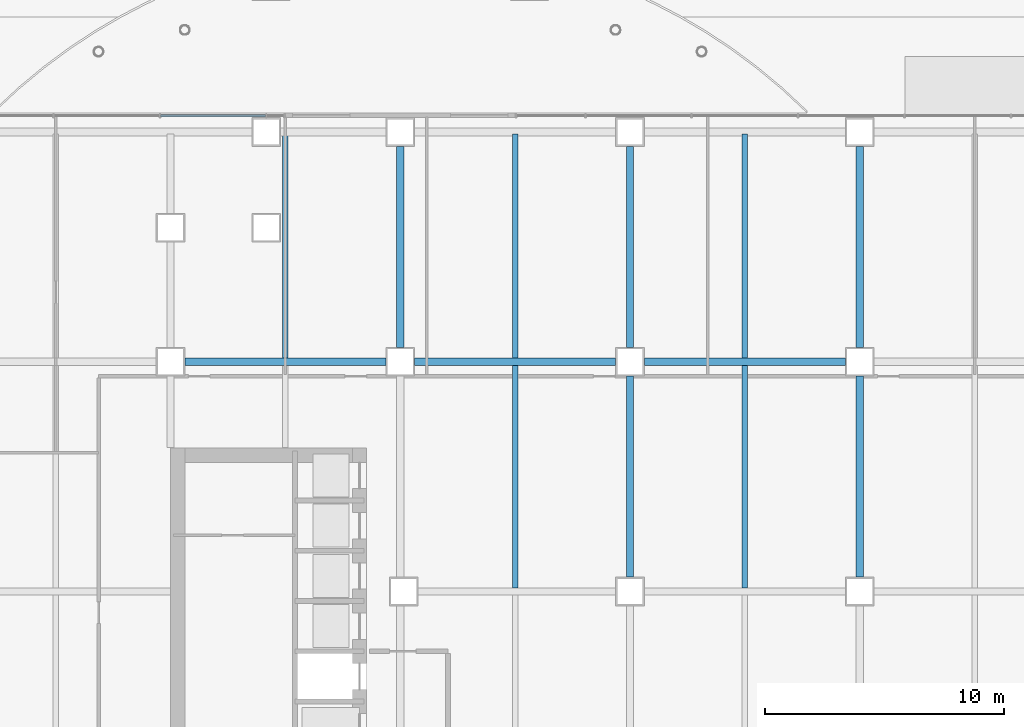
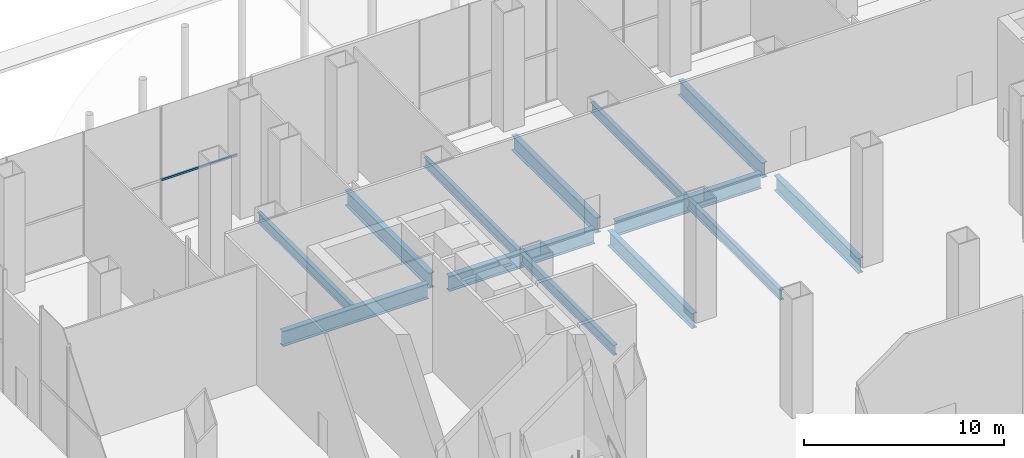
# One storey, part 15 of 36: 13 beams, 1 member, 1 element without a shape of its own.
"""IFC4 building model written with IfcOpenShell, lengths in metres."""

from ifc_helpers import new_model, si_unit, direction, frame, origin, origin_2d, place, context, subcontext, project, spatial, rectangle, i_section, extrude, material, material_profile, profile_set, type_object, element, aggregate, save


model = new_model("IFC4")

# Units and contexts
model_context = context("Model", 3, precision=1e-05, world=origin(), true_north=direction((0.0, 1.0)))
body_context = subcontext(model_context, "Body", "Model", "MODEL_VIEW")
ifc_project = project(units=[si_unit("LENGTHUNIT", "METRE"), si_unit("AREAUNIT", "SQUARE_METRE"), si_unit("VOLUMEUNIT", "CUBIC_METRE"), si_unit("PLANEANGLEUNIT", "RADIAN"), si_unit("MASSUNIT", "GRAM", prefix="KILO")], contexts=[model_context])

# Site, building, storey
site_placement = place(None, origin())
site = spatial("IfcSite", under=ifc_project, at=site_placement, CompositionType="ELEMENT")
building_placement = place(site_placement, origin())
building = spatial("IfcBuilding", under=site, at=building_placement, Name="Cobrizo Arcos Hotel Tower", CompositionType="ELEMENT")
storey_placement = place(building_placement, origin())
storey = spatial("IfcBuildingStorey", under=building, at=storey_placement, Name="L00", CompositionType="ELEMENT", Elevation=0.0)

# Curtain wall, member
ifc_material_1 = material(Name="Aluminium 6063-T6 anodised bronze", Category="aluminium")
curtain_wall_type = type_object("IfcCurtainWallType", Name="CW-A guest facade", PredefinedType="NOTDEFINED", material=ifc_material_1)
curtain_wall_placement = place(storey_placement, origin())
curtain_wall = element("IfcCurtainWall", 1, at=curtain_wall_placement, inside=storey, type_object=curtain_wall_type, Name="CW-A L00 N face", PredefinedType="NOTDEFINED")
ifc_material_profile_1 = material_profile(ifc_material_1, rectangle(XDim=0.10009765625, YDim=0.1201171875, at=origin_2d()), Name="CW-A transom 120x100")
ifc_profile_set_1 = profile_set([ifc_material_profile_1], Name="Aluminium 6063-T6 anodised bronze")
member_type = type_object("IfcMemberType", Name="CW-A transom 120x100", PredefinedType="USERDEFINED", material=ifc_profile_set_1)
member_placement = place(storey_placement, frame((-20.030029296875, 24.675048828125, 3.0), z_axis=(-1.0, 0.0, 0.0), x_axis=(0.0, -1.0, 0.0)))
member = element("IfcMember", 2, at=member_placement, type_object=member_type, Name="CW-A transom 23", ObjectType="TRANSOM", PredefinedType="USERDEFINED", context=body_context, shape_type="SweptSolid", body=[
    extrude(rectangle(XDim=0.10009765625, YDim=0.1201171875, at=origin_2d()), origin(), (0.0, 0.0, 1.0), 4.384521484375),
])
aggregate(curtain_wall, [member])

# Beams
ifc_material_2 = material(Name="Steel ASTM A992 Grade 50", Category="steel")
ifc_material_profile_2 = material_profile(ifc_material_2, i_section(OverallWidth=0.23046875, OverallDepth=0.6171875, WebThickness=0.01318359375, FlangeThickness=0.022216796875, at=origin_2d()), Name="W24X94")
ifc_profile_set_2 = profile_set([ifc_material_profile_2], Name="Steel ASTM A992 Grade 50")
beam_type_1 = type_object("IfcBeamType", Name="W24X94 podium joist", PredefinedType="JOIST", material=ifc_profile_set_2)
beam_1_placement = place(storey_placement, frame((-19.199951171875, 14.5537109375, -0.608642578125), z_axis=(0.0, 1.0, 0.0), x_axis=(-1.0, 0.0, 0.0)))
element("IfcBeam", 3, at=beam_1_placement, inside=storey, type_object=beam_type_1, Name="Podium joist PJ1, L00, no. 009", PredefinedType="JOIST", context=body_context, shape_type="SweptSolid", body=[
    extrude(i_section(OverallWidth=0.23046875, OverallDepth=0.6171875, WebThickness=0.01318359375, FlangeThickness=0.022216796875, at=origin_2d()), origin(), (0.0, 0.0, 1.0), 9.356201171875),
])
beam_2_placement = place(storey_placement, frame((-9.60009765625, 4.95361328125, -0.608642578125), z_axis=(0.0, 1.0, 0.0), x_axis=(-1.0, 0.0, 0.0)))
element("IfcBeam", 4, at=beam_2_placement, inside=storey, type_object=beam_type_1, Name="Podium joist PJ1, L00, no. 013", PredefinedType="JOIST", context=body_context, shape_type="SweptSolid", body=[
    extrude(i_section(OverallWidth=0.23046875, OverallDepth=0.6171875, WebThickness=0.01318359375, FlangeThickness=0.022216796875, at=origin_2d()), origin(), (0.0, 0.0, 1.0), 9.292724609375),
])
beam_3_placement = place(storey_placement, frame((-9.60009765625, 14.5537109375, -0.608642578125), z_axis=(0.0, 1.0, 0.0), x_axis=(-1.0, 0.0, 0.0)))
element("IfcBeam", 5, at=beam_3_placement, inside=storey, type_object=beam_type_1, Name="Podium joist PJ1, L00, no. 014", PredefinedType="JOIST", context=body_context, shape_type="SweptSolid", body=[
    extrude(i_section(OverallWidth=0.23046875, OverallDepth=0.6171875, WebThickness=0.01318359375, FlangeThickness=0.022216796875, at=origin_2d()), origin(), (0.0, 0.0, 1.0), 9.356201171875),
])
beam_4_placement = place(storey_placement, frame((0.0, 4.95361328125, -0.608642578125), z_axis=(0.0, 1.0, 0.0), x_axis=(-1.0, 0.0, 0.0)))
element("IfcBeam", 6, at=beam_4_placement, inside=storey, type_object=beam_type_1, Name="Podium joist PJ1, L00, no. 018", PredefinedType="JOIST", context=body_context, shape_type="SweptSolid", body=[
    extrude(i_section(OverallWidth=0.23046875, OverallDepth=0.6171875, WebThickness=0.01318359375, FlangeThickness=0.022216796875, at=origin_2d()), origin(), (0.0, 0.0, 1.0), 9.292724609375),
])
beam_5_placement = place(storey_placement, frame((0.0, 14.5537109375, -0.608642578125), z_axis=(0.0, 1.0, 0.0), x_axis=(-1.0, 0.0, 0.0)))
element("IfcBeam", 7, at=beam_5_placement, inside=storey, type_object=beam_type_1, Name="Podium joist PJ1, L00, no. 019", PredefinedType="JOIST", context=body_context, shape_type="SweptSolid", body=[
    extrude(i_section(OverallWidth=0.23046875, OverallDepth=0.6171875, WebThickness=0.01318359375, FlangeThickness=0.022216796875, at=origin_2d()), origin(), (0.0, 0.0, 1.0), 9.356201171875),
])
ifc_material_profile_3 = material_profile(ifc_material_2, i_section(OverallWidth=0.307373046875, OverallDepth=0.927001953125, WebThickness=0.01953125, FlangeThickness=0.031982421875, at=origin_2d()), Name="W36X194")
ifc_profile_set_3 = profile_set([ifc_material_profile_3], Name="Steel ASTM A992 Grade 50")
beam_type_2 = type_object("IfcBeamType", Name="W36X194 podium girder", PredefinedType="BEAM", material=ifc_profile_set_3)
beam_6_placement = place(storey_placement, frame((-23.39990234375, 14.39990234375, -0.763427734375), z_axis=(1.0, 0.0, 0.0), x_axis=(0.0, 1.0, 0.0)))
element("IfcBeam", 8, at=beam_6_placement, inside=storey, type_object=beam_type_2, Name="Podium girder PG1, L00, no. 028", PredefinedType="BEAM", context=body_context, shape_type="SweptSolid", body=[
    extrude(i_section(OverallWidth=0.307373046875, OverallDepth=0.927001953125, WebThickness=0.01953125, FlangeThickness=0.031982421875, at=origin_2d()), origin(), (0.0, 0.0, 1.0), 8.39990234375),
])
beam_7_placement = place(storey_placement, frame((-13.800048828125, 14.39990234375, -0.763427734375), z_axis=(1.0, 0.0, 0.0), x_axis=(0.0, 1.0, 0.0)))
element("IfcBeam", 9, at=beam_7_placement, inside=storey, type_object=beam_type_2, Name="Podium girder PG1, L00, no. 029", PredefinedType="BEAM", context=body_context, shape_type="SweptSolid", body=[
    extrude(i_section(OverallWidth=0.307373046875, OverallDepth=0.927001953125, WebThickness=0.01953125, FlangeThickness=0.031982421875, at=origin_2d()), origin(), (0.0, 0.0, 1.0), 8.400146484375),
])
for number, where, z_axis, x_axis, name in (
    (10, (-4.199951171875, 14.39990234375, -0.763427734375), (1.0, 0.0, 0.0), (0.0, 1.0, 0.0), "Podium girder PG1, L00, no. 030"),
    (11, (-14.39990234375, 15.0, -0.763427734375), (0.0, 1.0, 0.0), (-1.0, 0.0, 0.0), "Podium girder PG1, L00, no. 050"),
):
    element("IfcBeam", number, at=place(storey_placement, frame(where, z_axis=z_axis, x_axis=x_axis)), inside=storey, type_object=beam_type_2, Name=name, PredefinedType="BEAM", context=body_context, shape_type="SweptSolid", body=[
        extrude(i_section(OverallWidth=0.307373046875, OverallDepth=0.927001953125, WebThickness=0.01953125, FlangeThickness=0.031982421875, at=origin_2d()), origin(), (0.0, 0.0, 1.0), 8.39990234375),
    ])
beam_8_placement = place(storey_placement, frame((-4.800048828125, 5.39990234375, -0.763427734375), z_axis=(0.0, 1.0, 0.0), x_axis=(-1.0, 0.0, 0.0)))
element("IfcBeam", 12, at=beam_8_placement, inside=storey, type_object=beam_type_2, Name="Podium girder PG1, L00, no. 054", PredefinedType="BEAM", context=body_context, shape_type="SweptSolid", body=[
    extrude(i_section(OverallWidth=0.307373046875, OverallDepth=0.927001953125, WebThickness=0.01953125, FlangeThickness=0.031982421875, at=origin_2d()), origin(), (0.0, 0.0, 1.0), 8.400146484375),
])
beam_9_placement = place(storey_placement, frame((-4.800048828125, 15.0, -0.763427734375), z_axis=(0.0, 1.0, 0.0), x_axis=(-1.0, 0.0, 0.0)))
element("IfcBeam", 13, at=beam_9_placement, inside=storey, type_object=beam_type_2, Name="Podium girder PG1, L00, no. 055", PredefinedType="BEAM", context=body_context, shape_type="SweptSolid", body=[
    extrude(i_section(OverallWidth=0.307373046875, OverallDepth=0.927001953125, WebThickness=0.01953125, FlangeThickness=0.031982421875, at=origin_2d()), origin(), (0.0, 0.0, 1.0), 8.39990234375),
])
beam_10_placement = place(storey_placement, frame((4.800048828125, 5.39990234375, -0.763427734375), z_axis=(0.0, 1.0, 0.0), x_axis=(-1.0, 0.0, 0.0)))
element("IfcBeam", 14, at=beam_10_placement, inside=storey, type_object=beam_type_2, Name="Podium girder PG1, L00, no. 059", PredefinedType="BEAM", context=body_context, shape_type="SweptSolid", body=[
    extrude(i_section(OverallWidth=0.307373046875, OverallDepth=0.927001953125, WebThickness=0.01953125, FlangeThickness=0.031982421875, at=origin_2d()), origin(), (0.0, 0.0, 1.0), 8.400146484375),
])
beam_11_placement = place(storey_placement, frame((4.800048828125, 15.0, -0.763427734375), z_axis=(0.0, 1.0, 0.0), x_axis=(-1.0, 0.0, 0.0)))
element("IfcBeam", 15, at=beam_11_placement, inside=storey, type_object=beam_type_2, Name="Podium girder PG1, L00, no. 060", PredefinedType="BEAM", context=body_context, shape_type="SweptSolid", body=[
    extrude(i_section(OverallWidth=0.307373046875, OverallDepth=0.927001953125, WebThickness=0.01953125, FlangeThickness=0.031982421875, at=origin_2d()), origin(), (0.0, 0.0, 1.0), 8.39990234375),
])

save(model, "model.ifc")
